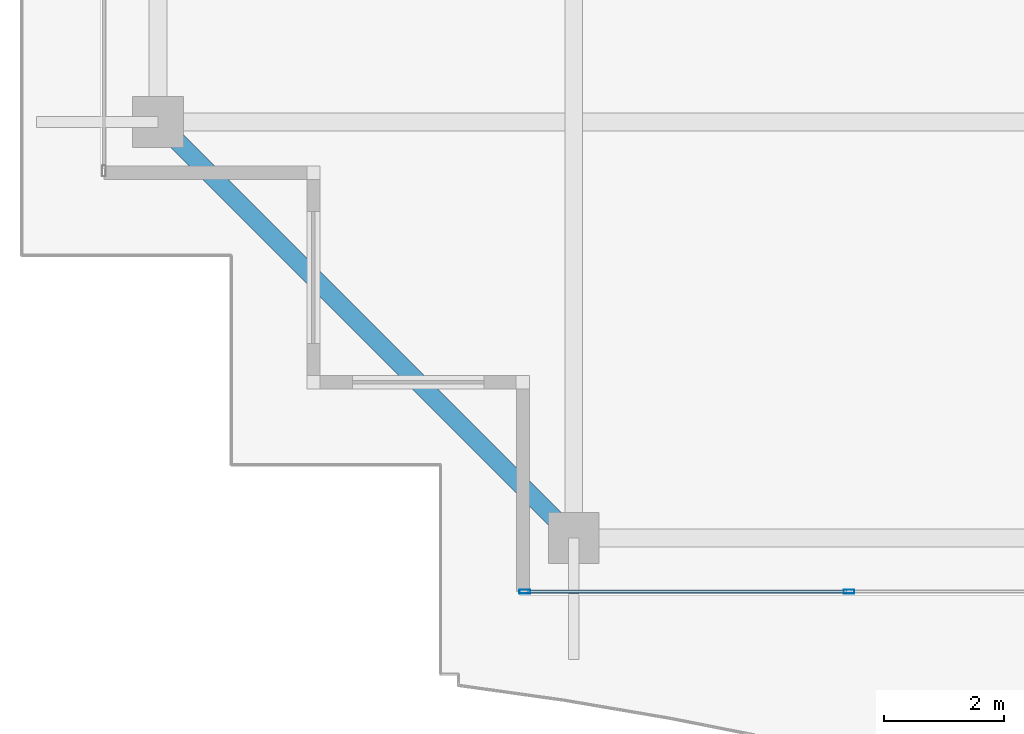
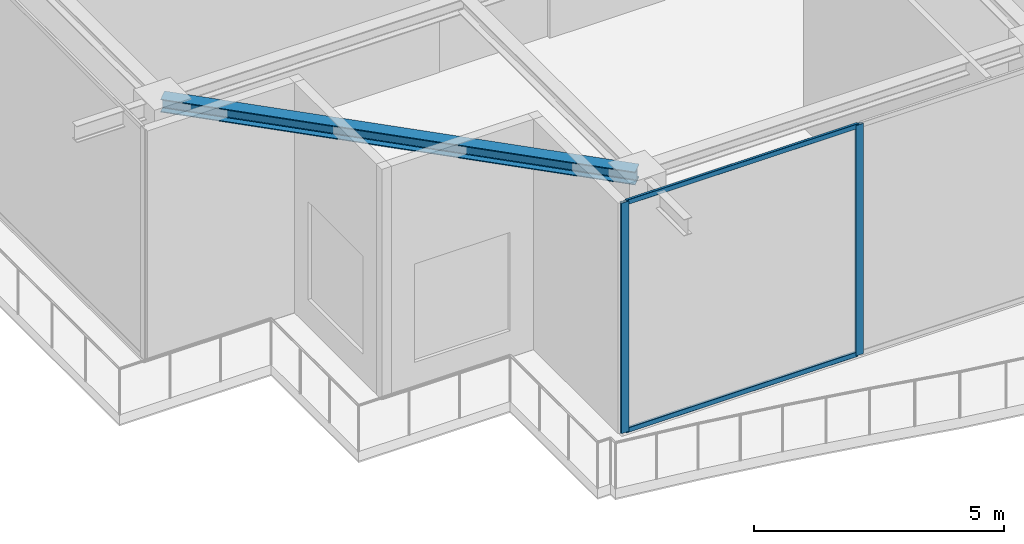
# One storey, part 2 of 38: 4 members, 1 beam, 1 element without a shape of its own.
"""IFC4 building model written with IfcOpenShell, lengths in metres."""

from ifc_helpers import new_model, si_unit, direction, frame, origin, origin_2d, place, context, subcontext, project, spatial, hollow_rectangle, i_section, extrude, source, transform, mapped, material, layer, layer_set, material_profile, profile_set, type_object, element, aggregate, save


model = new_model("IFC4")

# Units and contexts
model_context = context("Model", 3, precision=1e-05, world=origin(), true_north=direction((0.0, 1.0)))
body_context = subcontext(model_context, "Body", "Model", "MODEL_VIEW")
ifc_project = project(units=[si_unit("LENGTHUNIT", "METRE"), si_unit("AREAUNIT", "SQUARE_METRE"), si_unit("VOLUMEUNIT", "CUBIC_METRE"), si_unit("PLANEANGLEUNIT", "RADIAN"), si_unit("MASSUNIT", "GRAM", prefix="KILO")], contexts=[model_context])

# Site, building, storey
site_placement = place(None, origin())
site = spatial("IfcSite", under=ifc_project, at=site_placement, CompositionType="ELEMENT")
building_placement = place(site_placement, origin())
building = spatial("IfcBuilding", under=site, at=building_placement, Name="Serunith Strait Residences", CompositionType="ELEMENT")
storey_placement = place(building_placement, frame((0.0, 0.0, 342.050048828125)))
storey = spatial("IfcBuildingStorey", under=building, at=storey_placement, Name="L85", CompositionType="ELEMENT", Elevation=342.050048828125)

# Beam
ifc_material_1 = material(Name="Steel S355J2", Category="steel")
ifc_material_profile_1 = material_profile(ifc_material_1, i_section(OverallWidth=0.300048828125, OverallDepth=0.320068359375, WebThickness=0.011474609375, FlangeThickness=0.0205078125, FilletRadius=0.027099609375, at=origin_2d()), Name="HEB 320")
ifc_profile_set_1 = profile_set([ifc_material_profile_1], Name="Steel S355J2")
beam_type = type_object("IfcBeamType", Name="BM-HEB320", PredefinedType="BEAM", material=ifc_profile_set_1)
shared_shape_1 = source(origin(), body_context, "Body", "SweptSolid", [
    extrude(i_section(OverallWidth=0.300048828125, OverallDepth=0.320068359375, WebThickness=0.011474609375, FlangeThickness=0.0205078125, FilletRadius=0.027099609375, at=origin_2d()), origin(), (0.0, 0.0, 1.0), 9.828857421875),
])
beam_placement = place(storey_placement, frame((11.699951171875, 11.85009765625, 5.447021484375), z_axis=(0.707094361533, -0.707119200622, 0.0), x_axis=(0.707119200622, 0.707094361533, 0.0)))
element("IfcBeam", 1, at=beam_placement, inside=storey, type_object=beam_type, Name="L85 Perimeter Ring Beam 16", PredefinedType="BEAM", context=body_context, shape_type="MappedRepresentation", body=[
    mapped(shared_shape_1, transform((0.0, 0.0, 0.0), scale=1.0)),
])

# Curtain wall, members
ifc_material_2 = material(Name="Brushed Stainless-Silver Aluminium", Category="aluminium")
ifc_layer = layer(ifc_material_2, 0.199951171875, Name="Brushed Stainless-Silver Aluminium")
ifc_layer_set = layer_set([ifc_layer], Name="Brushed Stainless-Silver Aluminium")
curtain_wall_type = type_object("IfcCurtainWallType", Name="CW-SYS5", PredefinedType="NOTDEFINED", material=ifc_layer_set)
curtain_wall_placement = place(storey_placement, origin())
curtain_wall = element("IfcCurtainWall", 2, at=curtain_wall_placement, inside=storey, type_object=curtain_wall_type, Name="L85 S Unitised Fritted Curtain Wall", PredefinedType="NOTDEFINED")
ifc_material_profile_2 = material_profile(ifc_material_2, hollow_rectangle(XDim=0.06005859375, YDim=0.1201171875, WallThickness=0.00341796875, InnerFilletRadius=0.00537109375, OuterFilletRadius=0.0087890625, at=origin_2d()), Name="ALU 120x60x3.5")
ifc_profile_set_2 = profile_set([ifc_material_profile_2], Name="Brushed Stainless-Silver Aluminium")
member_type_1 = type_object("IfcMemberType", Name="CW-SYS5-TRAN", PredefinedType="USERDEFINED", material=ifc_profile_set_2)
shared_shape_2 = source(origin(), body_context, "Body", "SweptSolid", [
    extrude(hollow_rectangle(XDim=0.06005859375, YDim=0.1201171875, WallThickness=0.00341796875, InnerFilletRadius=0.00537109375, OuterFilletRadius=0.0087890625, at=origin_2d()), origin(), (0.0, 0.0, 1.0), 5.3525390625),
])
member_1_placement = place(storey_placement, frame((17.864990234375, 4.0, 0.030029296875), z_axis=(1.0, 0.0, 0.0), x_axis=(0.0, 1.0, 0.0)))
member_1 = element("IfcMember", 3, at=member_1_placement, type_object=member_type_1, Name="CW-5 transom 1.1", ObjectType="TRANSOM", PredefinedType="USERDEFINED", context=body_context, shape_type="MappedRepresentation", body=[
    mapped(shared_shape_2, transform((0.0, 0.0, 0.0), scale=1.0)),
])
member_2_placement = place(storey_placement, frame((17.864990234375, 4.0, 5.594970703125), z_axis=(1.0, 0.0, 0.0), x_axis=(0.0, 1.0, 0.0)))
member_2 = element("IfcMember", 4, at=member_2_placement, type_object=member_type_1, Name="CW-5 transom 1.2", ObjectType="TRANSOM", PredefinedType="USERDEFINED", context=body_context, shape_type="MappedRepresentation", body=[
    mapped(shared_shape_2, transform((0.0, 0.0, 0.0), scale=1.0)),
])
ifc_material_profile_3 = material_profile(ifc_material_2, hollow_rectangle(XDim=0.06494140625, YDim=0.179931640625, WallThickness=0.00341796875, InnerFilletRadius=0.00537109375, OuterFilletRadius=0.0087890625, at=origin_2d()), Name="ALU 180x65x3.5")
ifc_profile_set_3 = profile_set([ifc_material_profile_3], Name="Brushed Stainless-Silver Aluminium")
member_type_2 = type_object("IfcMemberType", Name="CW-SYS5-MULL", PredefinedType="MULLION", material=ifc_profile_set_3)
shared_shape_3 = source(origin(), body_context, "Body", "SweptSolid", [
    extrude(hollow_rectangle(XDim=0.06494140625, YDim=0.179931640625, WallThickness=0.00341796875, InnerFilletRadius=0.00537109375, OuterFilletRadius=0.0087890625, at=origin_2d()), origin(), (0.0, 0.0, 1.0), 5.625),
])
member_3_placement = place(storey_placement, frame((17.83251953125, 4.0, 0.0), z_axis=(0.0, 0.0, 1.0), x_axis=(0.0, 1.0, 0.0)))
member_3 = element("IfcMember", 5, at=member_3_placement, type_object=member_type_2, Name="CW-5 mullion 1", PredefinedType="MULLION", context=body_context, shape_type="MappedRepresentation", body=[
    mapped(shared_shape_3, transform((0.0, 0.0, 0.0), scale=1.0)),
])
member_4_placement = place(storey_placement, frame((23.25, 4.0, 0.0), z_axis=(0.0, 0.0, 1.0), x_axis=(0.0, 1.0, 0.0)))
member_4 = element("IfcMember", 6, at=member_4_placement, type_object=member_type_2, Name="CW-5 mullion 2", PredefinedType="MULLION", context=body_context, shape_type="MappedRepresentation", body=[
    mapped(shared_shape_3, transform((0.0, 0.0, 0.0), scale=1.0)),
])
aggregate(curtain_wall, [member_3, member_4, member_1, member_2])

save(model, "model.ifc")
